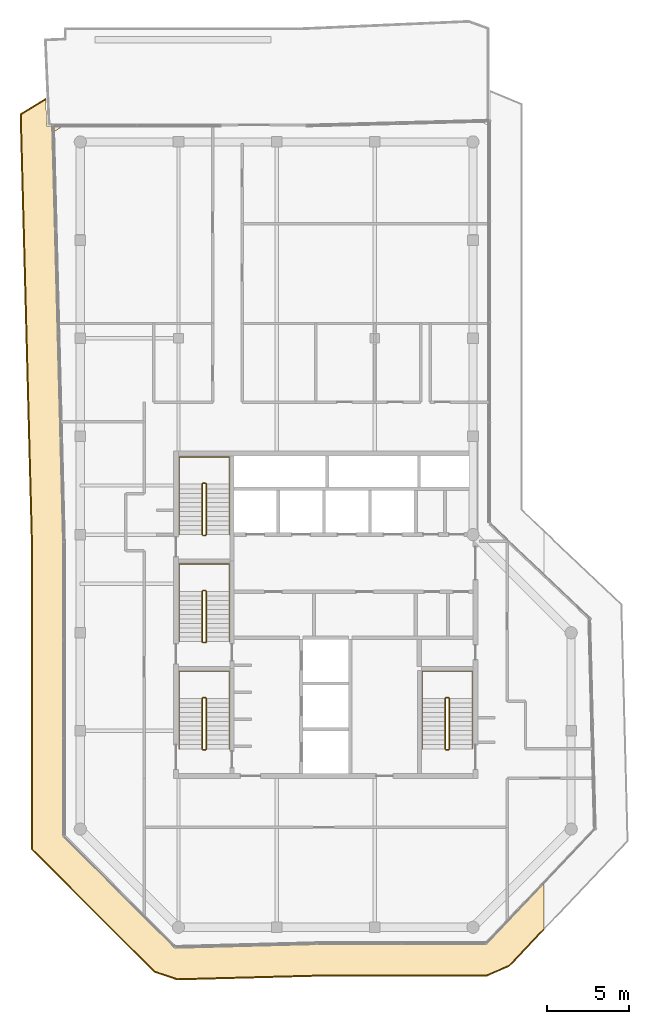
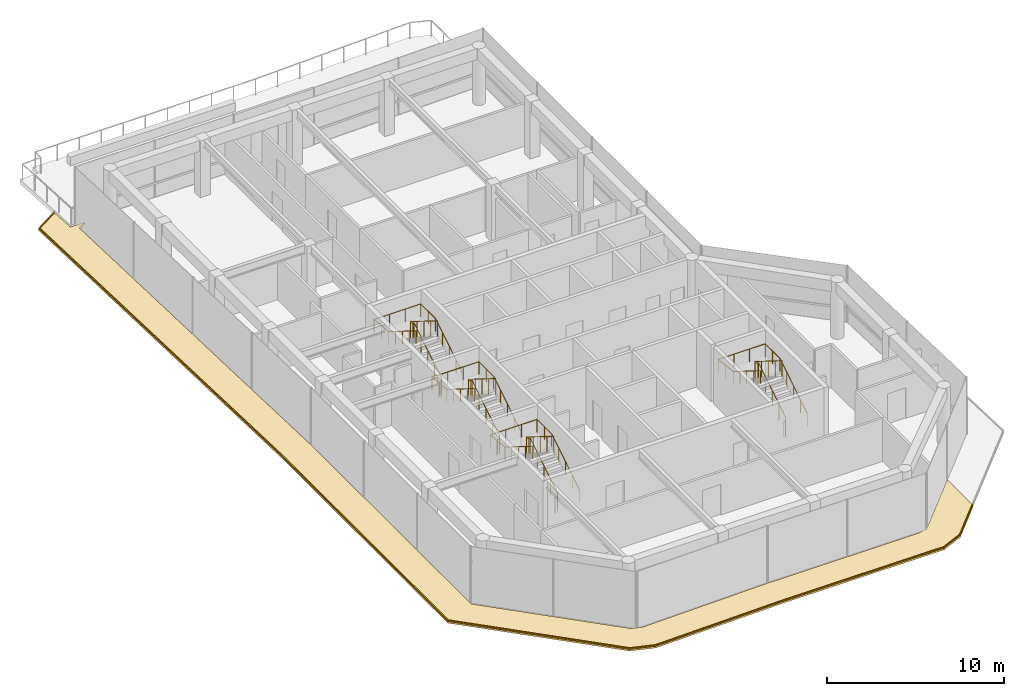
# One storey, part 19 of 20: 8 railings, 2 coverings.
"""IFC4 building model written with IfcOpenShell, lengths in metres."""

from ifc_helpers import new_model, si_unit, direction, frame, origin, origin_2d, place, context, subcontext, project, spatial, polyline, circle, outline, extrude, material, layer, layer_set, type_object, element, save


model = new_model("IFC4")

# Units and contexts
model_context = context("Model", 3, precision=1e-05, world=origin(), true_north=direction((0.0, 1.0)))
body_context = subcontext(model_context, "Body", "Model", "MODEL_VIEW")
ifc_project = project(units=[si_unit("LENGTHUNIT", "METRE"), si_unit("AREAUNIT", "SQUARE_METRE"), si_unit("VOLUMEUNIT", "CUBIC_METRE"), si_unit("PLANEANGLEUNIT", "RADIAN"), si_unit("MASSUNIT", "GRAM", prefix="KILO")], contexts=[model_context])

# Site, building, storey
site_placement = place(None, origin())
site = spatial("IfcSite", under=ifc_project, at=site_placement, CompositionType="ELEMENT")
building_placement = place(site_placement, origin())
building = spatial("IfcBuilding", under=site, at=building_placement, Name="Welwitschia Terrace Campus", CompositionType="ELEMENT")
storey_placement = place(building_placement, frame((0.0, 0.0, 327.199951171875)))
storey = spatial("IfcBuildingStorey", under=building, at=storey_placement, Name="L73", CompositionType="ELEMENT", Elevation=327.199951171875)

# Railings
ifc_material_1 = material(Name="Steel S355", Category="steel")
railing_type_1 = type_object("IfcRailingType", Name="Stair guard 1100", PredefinedType="GUARDRAIL", material=ifc_material_1)
railing_1_placement = place(storey_placement, frame((7.5, 6.85009765625, 0.0)))
element("IfcRailing", 1, at=railing_1_placement, inside=storey, type_object=railing_type_1, Name="L73 S1 stair guard", PredefinedType="GUARDRAIL", context=body_context, shape_type="SweptSolid", body=[
    extrude(circle(Radius=0.02392578125, at=origin_2d()), frame((0.0, 0.0, 1.076171875), z_axis=(1.0, 0.0, 0.0), x_axis=(0.0, 1.0, 0.0)), (0.0, 0.0, 1.0), 0.14990234375),
    extrude(circle(Radius=0.02392578125, at=origin_2d()), frame((0.14990234375, 0.0, 1.076171875), z_axis=(0.265155923931, 0.263862480399, 0.927399011991), x_axis=(-0.705375805398, 0.708833529934, 0.0)), (0.0, 0.0, 1.0), 0.188720703125),
    extrude(circle(Radius=0.02392578125, at=origin_2d()), frame((0.199951171875, 0.0498046875, 1.2509765625), z_axis=(0.0, 0.847998304005, 0.529998940003), x_axis=(-1.0, 0.0, 0.0)), (0.0, 0.0, 1.0), 3.632080078125),
    extrude(circle(Radius=0.02392578125, at=origin_2d()), frame((0.199951171875, 3.1298828125, 3.17626953125), z_axis=(-0.707106781187, 0.707106781187, 0.0), x_axis=(-0.707106781187, -0.707106781187, 0.0)), (0.0, 0.0, 1.0), 0.07080078125),
    extrude(circle(Radius=0.02392578125, at=origin_2d()), frame((0.14990234375, 3.179931640625, 3.17626953125), z_axis=(-1.0, 0.0, 0.0), x_axis=(0.0, -1.0, 0.0)), (0.0, 0.0, 1.0), 0.14990234375),
    extrude(circle(Radius=0.02392578125, at=origin_2d()), frame((0.0, 3.179931640625, 3.17626953125), z_axis=(-0.265065253269, -0.265065253269, 0.927081885822), x_axis=(0.707106781187, -0.707106781187, 0.0)), (0.0, 0.0, 1.0), 0.188720703125),
    extrude(circle(Radius=0.02392578125, at=origin_2d()), frame((-0.050048828125, 3.1298828125, 3.35107421875), z_axis=(0.0, -0.848028513186, 0.529950602248), x_axis=(1.0, 0.0, 0.0)), (0.0, 0.0, 1.0), 3.632080078125),
    extrude(circle(Radius=0.02099609375, at=origin_2d()), origin(), (0.0, 0.0, 1.0), 1.052001953125),
    extrude(circle(Radius=0.02099609375, at=origin_2d()), frame((0.14990234375, 0.0, 0.0)), (0.0, 0.0, 1.0), 1.052001953125),
    extrude(circle(Radius=0.02099609375, at=origin_2d()), frame((0.199951171875, 0.0498046875, 0.175048828125)), (0.0, 0.0, 1.0), 1.052001953125),
    extrude(circle(Radius=0.02099609375, at=origin_2d()), frame((0.199951171875, 0.81982421875, 0.65625)), (0.0, 0.0, 1.0), 1.052001953125),
    extrude(circle(Radius=0.02099609375, at=origin_2d()), frame((0.199951171875, 1.58984375, 1.1376953125)), (0.0, 0.0, 1.0), 1.052001953125),
    extrude(circle(Radius=0.02099609375, at=origin_2d()), frame((0.199951171875, 2.35986328125, 1.618896484375)), (0.0, 0.0, 1.0), 1.052001953125),
    extrude(circle(Radius=0.02099609375, at=origin_2d()), frame((0.199951171875, 3.1298828125, 2.10009765625)), (0.0, 0.0, 1.0), 1.052001953125),
    extrude(circle(Radius=0.02099609375, at=origin_2d()), frame((0.14990234375, 3.179931640625, 2.10009765625)), (0.0, 0.0, 1.0), 1.052001953125),
    extrude(circle(Radius=0.02099609375, at=origin_2d()), frame((0.0, 3.179931640625, 2.10009765625)), (0.0, 0.0, 1.0), 1.052001953125),
    extrude(circle(Radius=0.02099609375, at=origin_2d()), frame((-0.050048828125, 3.1298828125, 2.275146484375)), (0.0, 0.0, 1.0), 1.052001953125),
    extrude(circle(Radius=0.02099609375, at=origin_2d()), frame((-0.050048828125, 2.35986328125, 2.75634765625)), (0.0, 0.0, 1.0), 1.052001953125),
    extrude(circle(Radius=0.02099609375, at=origin_2d()), frame((-0.050048828125, 1.58984375, 3.237548828125)), (0.0, 0.0, 1.0), 1.052001953125),
    extrude(circle(Radius=0.02099609375, at=origin_2d()), frame((-0.050048828125, 0.81982421875, 3.71875)), (0.0, 0.0, 1.0), 1.052001953125),
    extrude(circle(Radius=0.02099609375, at=origin_2d()), frame((-0.050048828125, 0.0498046875, 4.199951171875)), (0.0, 0.0, 1.0), 1.052001953125),
])
railing_2_placement = place(storey_placement, frame((7.5, 13.39990234375, 0.0)))
element("IfcRailing", 2, at=railing_2_placement, inside=storey, type_object=railing_type_1, Name="L73 S3 stair guard", PredefinedType="GUARDRAIL", context=body_context, shape_type="SweptSolid", body=[
    extrude(circle(Radius=0.02392578125, at=origin_2d()), frame((0.0, 0.0, 1.076171875), z_axis=(1.0, 0.0, 0.0), x_axis=(0.0, 1.0, 0.0)), (0.0, 0.0, 1.0), 0.14990234375),
    extrude(circle(Radius=0.02392578125, at=origin_2d()), frame((0.14990234375, 0.0, 1.076171875), z_axis=(0.265065253269, 0.265065253269, 0.927081885822), x_axis=(-0.707106781187, 0.707106781187, 0.0)), (0.0, 0.0, 1.0), 0.188720703125),
    extrude(circle(Radius=0.02392578125, at=origin_2d()), frame((0.199951171875, 0.050048828125, 1.2509765625), z_axis=(0.0, 0.847998304005, 0.529998940003), x_axis=(-1.0, 0.0, 0.0)), (0.0, 0.0, 1.0), 3.632080078125),
    extrude(circle(Radius=0.02392578125, at=origin_2d()), frame((0.199951171875, 3.130126953125, 3.17626953125), z_axis=(-0.707106781187, 0.707106781187, 0.0), x_axis=(-0.707106781187, -0.707106781187, 0.0)), (0.0, 0.0, 1.0), 0.07080078125),
    extrude(circle(Radius=0.02392578125, at=origin_2d()), frame((0.14990234375, 3.18017578125, 3.17626953125), z_axis=(-1.0, 0.0, 0.0), x_axis=(0.0, -1.0, 0.0)), (0.0, 0.0, 1.0), 0.14990234375),
    extrude(circle(Radius=0.02392578125, at=origin_2d()), frame((0.0, 3.18017578125, 3.17626953125), z_axis=(-0.265065253269, -0.265065253269, 0.927081885822), x_axis=(0.707106781187, -0.707106781187, 0.0)), (0.0, 0.0, 1.0), 0.188720703125),
    extrude(circle(Radius=0.02392578125, at=origin_2d()), frame((-0.050048828125, 3.130126953125, 3.35107421875), z_axis=(0.0, -0.848028513186, 0.529950602248), x_axis=(1.0, 0.0, 0.0)), (0.0, 0.0, 1.0), 3.632080078125),
    extrude(circle(Radius=0.02099609375, at=origin_2d()), origin(), (0.0, 0.0, 1.0), 1.052001953125),
    extrude(circle(Radius=0.02099609375, at=origin_2d()), frame((0.14990234375, 0.0, 0.0)), (0.0, 0.0, 1.0), 1.052001953125),
    extrude(circle(Radius=0.02099609375, at=origin_2d()), frame((0.199951171875, 0.050048828125, 0.175048828125)), (0.0, 0.0, 1.0), 1.052001953125),
    extrude(circle(Radius=0.02099609375, at=origin_2d()), frame((0.199951171875, 0.820068359375, 0.65625)), (0.0, 0.0, 1.0), 1.052001953125),
    extrude(circle(Radius=0.02099609375, at=origin_2d()), frame((0.199951171875, 1.590087890625, 1.1376953125)), (0.0, 0.0, 1.0), 1.052001953125),
    extrude(circle(Radius=0.02099609375, at=origin_2d()), frame((0.199951171875, 2.360107421875, 1.618896484375)), (0.0, 0.0, 1.0), 1.052001953125),
    extrude(circle(Radius=0.02099609375, at=origin_2d()), frame((0.199951171875, 3.130126953125, 2.10009765625)), (0.0, 0.0, 1.0), 1.052001953125),
    extrude(circle(Radius=0.02099609375, at=origin_2d()), frame((0.14990234375, 3.18017578125, 2.10009765625)), (0.0, 0.0, 1.0), 1.052001953125),
    extrude(circle(Radius=0.02099609375, at=origin_2d()), frame((0.0, 3.18017578125, 2.10009765625)), (0.0, 0.0, 1.0), 1.052001953125),
    extrude(circle(Radius=0.02099609375, at=origin_2d()), frame((-0.050048828125, 3.130126953125, 2.275146484375)), (0.0, 0.0, 1.0), 1.052001953125),
    extrude(circle(Radius=0.02099609375, at=origin_2d()), frame((-0.050048828125, 2.360107421875, 2.75634765625)), (0.0, 0.0, 1.0), 1.052001953125),
    extrude(circle(Radius=0.02099609375, at=origin_2d()), frame((-0.050048828125, 1.590087890625, 3.237548828125)), (0.0, 0.0, 1.0), 1.052001953125),
    extrude(circle(Radius=0.02099609375, at=origin_2d()), frame((-0.050048828125, 0.820068359375, 3.71875)), (0.0, 0.0, 1.0), 1.052001953125),
    extrude(circle(Radius=0.02099609375, at=origin_2d()), frame((-0.050048828125, 0.050048828125, 4.199951171875)), (0.0, 0.0, 1.0), 1.052001953125),
])
railing_3_placement = place(storey_placement, frame((7.5, 19.949951171875, 0.0)))
element("IfcRailing", 3, at=railing_3_placement, inside=storey, type_object=railing_type_1, Name="L73 S4 stair guard", PredefinedType="GUARDRAIL", context=body_context, shape_type="SweptSolid", body=[
    extrude(circle(Radius=0.02392578125, at=origin_2d()), frame((0.0, 0.0, 1.076171875), z_axis=(1.0, 0.0, 0.0), x_axis=(0.0, 1.0, 0.0)), (0.0, 0.0, 1.0), 0.14990234375),
    extrude(circle(Radius=0.02392578125, at=origin_2d()), frame((0.14990234375, 0.0, 1.076171875), z_axis=(0.265065253269, 0.265065253269, 0.927081885822), x_axis=(-0.707106781187, 0.707106781187, 0.0)), (0.0, 0.0, 1.0), 0.188720703125),
    extrude(circle(Radius=0.02392578125, at=origin_2d()), frame((0.199951171875, 0.050048828125, 1.2509765625), z_axis=(0.0, 0.847998304005, 0.529998940003), x_axis=(-1.0, 0.0, 0.0)), (0.0, 0.0, 1.0), 3.632080078125),
    extrude(circle(Radius=0.02392578125, at=origin_2d()), frame((0.199951171875, 3.130126953125, 3.17626953125), z_axis=(-0.708833529934, 0.705375805398, 0.0), x_axis=(-0.705375805398, -0.708833529934, 0.0)), (0.0, 0.0, 1.0), 0.070556640625),
    extrude(circle(Radius=0.02392578125, at=origin_2d()), frame((0.14990234375, 3.179931640625, 3.17626953125), z_axis=(-1.0, 0.0, 0.0), x_axis=(0.0, -1.0, 0.0)), (0.0, 0.0, 1.0), 0.14990234375),
    extrude(circle(Radius=0.02392578125, at=origin_2d()), frame((0.0, 3.179931640625, 3.17626953125), z_axis=(-0.265155923931, -0.263862480399, 0.927399011991), x_axis=(0.705375805398, -0.708833529934, 0.0)), (0.0, 0.0, 1.0), 0.188720703125),
    extrude(circle(Radius=0.02392578125, at=origin_2d()), frame((-0.050048828125, 3.130126953125, 3.35107421875), z_axis=(0.0, -0.848028513186, 0.529950602248), x_axis=(1.0, 0.0, 0.0)), (0.0, 0.0, 1.0), 3.632080078125),
    extrude(circle(Radius=0.02099609375, at=origin_2d()), origin(), (0.0, 0.0, 1.0), 1.052001953125),
    extrude(circle(Radius=0.02099609375, at=origin_2d()), frame((0.14990234375, 0.0, 0.0)), (0.0, 0.0, 1.0), 1.052001953125),
    extrude(circle(Radius=0.02099609375, at=origin_2d()), frame((0.199951171875, 0.050048828125, 0.175048828125)), (0.0, 0.0, 1.0), 1.052001953125),
    extrude(circle(Radius=0.02099609375, at=origin_2d()), frame((0.199951171875, 0.820068359375, 0.65625)), (0.0, 0.0, 1.0), 1.052001953125),
    extrude(circle(Radius=0.02099609375, at=origin_2d()), frame((0.199951171875, 1.590087890625, 1.1376953125)), (0.0, 0.0, 1.0), 1.052001953125),
    extrude(circle(Radius=0.02099609375, at=origin_2d()), frame((0.199951171875, 2.360107421875, 1.618896484375)), (0.0, 0.0, 1.0), 1.052001953125),
    extrude(circle(Radius=0.02099609375, at=origin_2d()), frame((0.199951171875, 3.130126953125, 2.10009765625)), (0.0, 0.0, 1.0), 1.052001953125),
    extrude(circle(Radius=0.02099609375, at=origin_2d()), frame((0.14990234375, 3.179931640625, 2.10009765625)), (0.0, 0.0, 1.0), 1.052001953125),
    extrude(circle(Radius=0.02099609375, at=origin_2d()), frame((0.0, 3.179931640625, 2.10009765625)), (0.0, 0.0, 1.0), 1.052001953125),
    extrude(circle(Radius=0.02099609375, at=origin_2d()), frame((-0.050048828125, 3.130126953125, 2.275146484375)), (0.0, 0.0, 1.0), 1.052001953125),
    extrude(circle(Radius=0.02099609375, at=origin_2d()), frame((-0.050048828125, 2.360107421875, 2.75634765625)), (0.0, 0.0, 1.0), 1.052001953125),
    extrude(circle(Radius=0.02099609375, at=origin_2d()), frame((-0.050048828125, 1.590087890625, 3.237548828125)), (0.0, 0.0, 1.0), 1.052001953125),
    extrude(circle(Radius=0.02099609375, at=origin_2d()), frame((-0.050048828125, 0.820068359375, 3.71875)), (0.0, 0.0, 1.0), 1.052001953125),
    extrude(circle(Radius=0.02099609375, at=origin_2d()), frame((-0.050048828125, 0.050048828125, 4.199951171875)), (0.0, 0.0, 1.0), 1.052001953125),
])
railing_4_placement = place(storey_placement, frame((22.35009765625, 6.85009765625, 0.0)))
element("IfcRailing", 4, at=railing_4_placement, inside=storey, type_object=railing_type_1, Name="L73 S2 stair guard", PredefinedType="GUARDRAIL", context=body_context, shape_type="SweptSolid", body=[
    extrude(circle(Radius=0.02392578125, at=origin_2d()), frame((0.0, 0.0, 1.076171875), z_axis=(1.0, 0.0, 0.0), x_axis=(0.0, 1.0, 0.0)), (0.0, 0.0, 1.0), 0.14990234375),
    extrude(circle(Radius=0.02392578125, at=origin_2d()), frame((0.14990234375, 0.0, 1.076171875), z_axis=(0.265155923931, 0.263862480399, 0.927399011991), x_axis=(-0.705375805398, 0.708833529934, 0.0)), (0.0, 0.0, 1.0), 0.188720703125),
    extrude(circle(Radius=0.02392578125, at=origin_2d()), frame((0.199951171875, 0.0498046875, 1.2509765625), z_axis=(0.0, 0.847998304005, 0.529998940003), x_axis=(-1.0, 0.0, 0.0)), (0.0, 0.0, 1.0), 3.632080078125),
    extrude(circle(Radius=0.02392578125, at=origin_2d()), frame((0.199951171875, 3.1298828125, 3.17626953125), z_axis=(-0.707106781187, 0.707106781187, 0.0), x_axis=(-0.707106781187, -0.707106781187, 0.0)), (0.0, 0.0, 1.0), 0.07080078125),
    extrude(circle(Radius=0.02392578125, at=origin_2d()), frame((0.14990234375, 3.179931640625, 3.17626953125), z_axis=(-1.0, 0.0, 0.0), x_axis=(0.0, -1.0, 0.0)), (0.0, 0.0, 1.0), 0.14990234375),
    extrude(circle(Radius=0.02392578125, at=origin_2d()), frame((0.0, 3.179931640625, 3.17626953125), z_axis=(-0.265065253269, -0.265065253269, 0.927081885822), x_axis=(0.707106781187, -0.707106781187, 0.0)), (0.0, 0.0, 1.0), 0.188720703125),
    extrude(circle(Radius=0.02392578125, at=origin_2d()), frame((-0.050048828125, 3.1298828125, 3.35107421875), z_axis=(0.0, -0.848028513186, 0.529950602248), x_axis=(1.0, 0.0, 0.0)), (0.0, 0.0, 1.0), 3.632080078125),
    extrude(circle(Radius=0.02099609375, at=origin_2d()), origin(), (0.0, 0.0, 1.0), 1.052001953125),
    extrude(circle(Radius=0.02099609375, at=origin_2d()), frame((0.14990234375, 0.0, 0.0)), (0.0, 0.0, 1.0), 1.052001953125),
    extrude(circle(Radius=0.02099609375, at=origin_2d()), frame((0.199951171875, 0.0498046875, 0.175048828125)), (0.0, 0.0, 1.0), 1.052001953125),
    extrude(circle(Radius=0.02099609375, at=origin_2d()), frame((0.199951171875, 0.81982421875, 0.65625)), (0.0, 0.0, 1.0), 1.052001953125),
    extrude(circle(Radius=0.02099609375, at=origin_2d()), frame((0.199951171875, 1.58984375, 1.1376953125)), (0.0, 0.0, 1.0), 1.052001953125),
    extrude(circle(Radius=0.02099609375, at=origin_2d()), frame((0.199951171875, 2.35986328125, 1.618896484375)), (0.0, 0.0, 1.0), 1.052001953125),
    extrude(circle(Radius=0.02099609375, at=origin_2d()), frame((0.199951171875, 3.1298828125, 2.10009765625)), (0.0, 0.0, 1.0), 1.052001953125),
    extrude(circle(Radius=0.02099609375, at=origin_2d()), frame((0.14990234375, 3.179931640625, 2.10009765625)), (0.0, 0.0, 1.0), 1.052001953125),
    extrude(circle(Radius=0.02099609375, at=origin_2d()), frame((0.0, 3.179931640625, 2.10009765625)), (0.0, 0.0, 1.0), 1.052001953125),
    extrude(circle(Radius=0.02099609375, at=origin_2d()), frame((-0.050048828125, 3.1298828125, 2.275146484375)), (0.0, 0.0, 1.0), 1.052001953125),
    extrude(circle(Radius=0.02099609375, at=origin_2d()), frame((-0.050048828125, 2.35986328125, 2.75634765625)), (0.0, 0.0, 1.0), 1.052001953125),
    extrude(circle(Radius=0.02099609375, at=origin_2d()), frame((-0.050048828125, 1.58984375, 3.237548828125)), (0.0, 0.0, 1.0), 1.052001953125),
    extrude(circle(Radius=0.02099609375, at=origin_2d()), frame((-0.050048828125, 0.81982421875, 3.71875)), (0.0, 0.0, 1.0), 1.052001953125),
    extrude(circle(Radius=0.02099609375, at=origin_2d()), frame((-0.050048828125, 0.0498046875, 4.199951171875)), (0.0, 0.0, 1.0), 1.052001953125),
])
ifc_material_2 = material(Name="Steel S355", Category="steel")
railing_type_2 = type_object("IfcRailingType", Name="Stair handrail 900", PredefinedType="HANDRAIL", material=ifc_material_2)
railing_5_placement = place(storey_placement, frame((9.10009765625, 6.89990234375, 0.175048828125)))
element("IfcRailing", 5, at=railing_5_placement, inside=storey, type_object=railing_type_2, Name="L73 S1 stair handrail", PredefinedType="HANDRAIL", context=body_context, shape_type="SweptSolid", body=[
    extrude(circle(Radius=0.02392578125, at=origin_2d()), frame((0.0, 0.0, 0.8759765625), z_axis=(0.0, 0.847998304005, 0.529998940003), x_axis=(-1.0, 0.0, 0.0)), (0.0, 0.0, 1.0), 3.632080078125),
    extrude(circle(Radius=0.02392578125, at=origin_2d()), frame((0.0, 3.080078125, 2.80078125), z_axis=(0.0, 1.0, 0.0), x_axis=(-1.0, 0.0, 0.0)), (0.0, 0.0, 1.0), 1.669921875),
    extrude(circle(Radius=0.02392578125, at=origin_2d()), frame((0.0, 4.75, 2.80078125), z_axis=(-1.0, 0.0, 0.0), x_axis=(0.0, -1.0, 0.0)), (0.0, 0.0, 1.0), 3.050048828125),
    extrude(circle(Radius=0.02392578125, at=origin_2d()), frame((-3.050048828125, 4.75, 2.80078125), z_axis=(0.0, -0.99455077262, 0.104253348533), x_axis=(1.0, 0.0, 0.0)), (0.0, 0.0, 1.0), 1.678955078125),
    extrude(circle(Radius=0.02392578125, at=origin_2d()), frame((-3.050048828125, 3.080078125, 2.97607421875), z_axis=(0.0, -0.848028513186, 0.529950602248), x_axis=(1.0, 0.0, 0.0)), (0.0, 0.0, 1.0), 3.632080078125),
    extrude(circle(Radius=0.02099609375, at=origin_2d()), origin(), (0.0, 0.0, 1.0), 0.851806640625),
    extrude(circle(Radius=0.02099609375, at=origin_2d()), frame((0.0, 0.77001953125, 0.481201171875)), (0.0, 0.0, 1.0), 0.851806640625),
    extrude(circle(Radius=0.02099609375, at=origin_2d()), frame((0.0, 1.5400390625, 0.96240234375)), (0.0, 0.0, 1.0), 0.851806640625),
    extrude(circle(Radius=0.02099609375, at=origin_2d()), frame((0.0, 2.31005859375, 1.44384765625)), (0.0, 0.0, 1.0), 0.851806640625),
    extrude(circle(Radius=0.02099609375, at=origin_2d()), frame((0.0, 3.080078125, 1.925048828125)), (0.0, 0.0, 1.0), 0.851806640625),
    extrude(circle(Radius=0.02099609375, at=origin_2d()), frame((0.0, 3.9150390625, 1.925048828125)), (0.0, 0.0, 1.0), 0.851806640625),
    extrude(circle(Radius=0.02099609375, at=origin_2d()), frame((0.0, 4.75, 1.925048828125)), (0.0, 0.0, 1.0), 0.851806640625),
    extrude(circle(Radius=0.02099609375, at=origin_2d()), frame((-1.0166015625, 4.75, 1.925048828125)), (0.0, 0.0, 1.0), 0.851806640625),
    extrude(circle(Radius=0.02099609375, at=origin_2d()), frame((-2.033447265625, 4.75, 1.925048828125)), (0.0, 0.0, 1.0), 0.851806640625),
    extrude(circle(Radius=0.02099609375, at=origin_2d()), frame((-3.050048828125, 4.75, 1.925048828125)), (0.0, 0.0, 1.0), 0.851806640625),
    extrude(circle(Radius=0.02099609375, at=origin_2d()), frame((-3.050048828125, 3.9150390625, 2.0126953125)), (0.0, 0.0, 1.0), 0.851806640625),
    extrude(circle(Radius=0.02099609375, at=origin_2d()), frame((-3.050048828125, 3.080078125, 2.10009765625)), (0.0, 0.0, 1.0), 0.851806640625),
    extrude(circle(Radius=0.02099609375, at=origin_2d()), frame((-3.050048828125, 2.31005859375, 2.581298828125)), (0.0, 0.0, 1.0), 0.851806640625),
    extrude(circle(Radius=0.02099609375, at=origin_2d()), frame((-3.050048828125, 1.5400390625, 3.0625)), (0.0, 0.0, 1.0), 0.851806640625),
    extrude(circle(Radius=0.02099609375, at=origin_2d()), frame((-3.050048828125, 0.77001953125, 3.543701171875)), (0.0, 0.0, 1.0), 0.851806640625),
    extrude(circle(Radius=0.02099609375, at=origin_2d()), frame((-3.050048828125, 0.0, 4.02490234375)), (0.0, 0.0, 1.0), 0.851806640625),
])
railing_6_placement = place(storey_placement, frame((9.10009765625, 13.449951171875, 0.175048828125)))
element("IfcRailing", 6, at=railing_6_placement, inside=storey, type_object=railing_type_2, Name="L73 S3 stair handrail", PredefinedType="HANDRAIL", context=body_context, shape_type="SweptSolid", body=[
    extrude(circle(Radius=0.02392578125, at=origin_2d()), frame((0.0, 0.0, 0.8759765625), z_axis=(0.0, 0.847998304005, 0.529998940003), x_axis=(-1.0, 0.0, 0.0)), (0.0, 0.0, 1.0), 3.632080078125),
    extrude(circle(Radius=0.02392578125, at=origin_2d()), frame((0.0, 3.080078125, 2.80078125), z_axis=(0.0, 1.0, 0.0), x_axis=(-1.0, 0.0, 0.0)), (0.0, 0.0, 1.0), 1.669921875),
    extrude(circle(Radius=0.02392578125, at=origin_2d()), frame((0.0, 4.75, 2.80078125), z_axis=(-1.0, 0.0, 0.0), x_axis=(0.0, -1.0, 0.0)), (0.0, 0.0, 1.0), 3.050048828125),
    extrude(circle(Radius=0.02392578125, at=origin_2d()), frame((-3.050048828125, 4.75, 2.80078125), z_axis=(0.0, -0.99455077262, 0.104253348533), x_axis=(1.0, 0.0, 0.0)), (0.0, 0.0, 1.0), 1.678955078125),
    extrude(circle(Radius=0.02392578125, at=origin_2d()), frame((-3.050048828125, 3.080078125, 2.97607421875), z_axis=(0.0, -0.848028513186, 0.529950602248), x_axis=(1.0, 0.0, 0.0)), (0.0, 0.0, 1.0), 3.632080078125),
    extrude(circle(Radius=0.02099609375, at=origin_2d()), origin(), (0.0, 0.0, 1.0), 0.851806640625),
    extrude(circle(Radius=0.02099609375, at=origin_2d()), frame((0.0, 0.77001953125, 0.481201171875)), (0.0, 0.0, 1.0), 0.851806640625),
    extrude(circle(Radius=0.02099609375, at=origin_2d()), frame((0.0, 1.5400390625, 0.96240234375)), (0.0, 0.0, 1.0), 0.851806640625),
    extrude(circle(Radius=0.02099609375, at=origin_2d()), frame((0.0, 2.31005859375, 1.44384765625)), (0.0, 0.0, 1.0), 0.851806640625),
    extrude(circle(Radius=0.02099609375, at=origin_2d()), frame((0.0, 3.080078125, 1.925048828125)), (0.0, 0.0, 1.0), 0.851806640625),
    extrude(circle(Radius=0.02099609375, at=origin_2d()), frame((0.0, 3.9150390625, 1.925048828125)), (0.0, 0.0, 1.0), 0.851806640625),
    extrude(circle(Radius=0.02099609375, at=origin_2d()), frame((0.0, 4.75, 1.925048828125)), (0.0, 0.0, 1.0), 0.851806640625),
    extrude(circle(Radius=0.02099609375, at=origin_2d()), frame((-1.0166015625, 4.75, 1.925048828125)), (0.0, 0.0, 1.0), 0.851806640625),
    extrude(circle(Radius=0.02099609375, at=origin_2d()), frame((-2.033447265625, 4.75, 1.925048828125)), (0.0, 0.0, 1.0), 0.851806640625),
    extrude(circle(Radius=0.02099609375, at=origin_2d()), frame((-3.050048828125, 4.75, 1.925048828125)), (0.0, 0.0, 1.0), 0.851806640625),
    extrude(circle(Radius=0.02099609375, at=origin_2d()), frame((-3.050048828125, 3.9150390625, 2.0126953125)), (0.0, 0.0, 1.0), 0.851806640625),
    extrude(circle(Radius=0.02099609375, at=origin_2d()), frame((-3.050048828125, 3.080078125, 2.10009765625)), (0.0, 0.0, 1.0), 0.851806640625),
    extrude(circle(Radius=0.02099609375, at=origin_2d()), frame((-3.050048828125, 2.31005859375, 2.581298828125)), (0.0, 0.0, 1.0), 0.851806640625),
    extrude(circle(Radius=0.02099609375, at=origin_2d()), frame((-3.050048828125, 1.5400390625, 3.0625)), (0.0, 0.0, 1.0), 0.851806640625),
    extrude(circle(Radius=0.02099609375, at=origin_2d()), frame((-3.050048828125, 0.77001953125, 3.543701171875)), (0.0, 0.0, 1.0), 0.851806640625),
    extrude(circle(Radius=0.02099609375, at=origin_2d()), frame((-3.050048828125, 0.0, 4.02490234375)), (0.0, 0.0, 1.0), 0.851806640625),
])
railing_7_placement = place(storey_placement, frame((9.10009765625, 20.0, 0.175048828125)))
element("IfcRailing", 7, at=railing_7_placement, inside=storey, type_object=railing_type_2, Name="L73 S4 stair handrail", PredefinedType="HANDRAIL", context=body_context, shape_type="SweptSolid", body=[
    extrude(circle(Radius=0.02392578125, at=origin_2d()), frame((0.0, 0.0, 0.8759765625), z_axis=(0.0, 0.847998304005, 0.529998940003), x_axis=(-1.0, 0.0, 0.0)), (0.0, 0.0, 1.0), 3.632080078125),
    extrude(circle(Radius=0.02392578125, at=origin_2d()), frame((0.0, 3.080078125, 2.80078125), z_axis=(0.0, 1.0, 0.0), x_axis=(-1.0, 0.0, 0.0)), (0.0, 0.0, 1.0), 1.669921875),
    extrude(circle(Radius=0.02392578125, at=origin_2d()), frame((0.0, 4.75, 2.80078125), z_axis=(-1.0, 0.0, 0.0), x_axis=(0.0, -1.0, 0.0)), (0.0, 0.0, 1.0), 3.050048828125),
    extrude(circle(Radius=0.02392578125, at=origin_2d()), frame((-3.050048828125, 4.75, 2.80078125), z_axis=(0.0, -0.99455077262, 0.104253348533), x_axis=(1.0, 0.0, 0.0)), (0.0, 0.0, 1.0), 1.678955078125),
    extrude(circle(Radius=0.02392578125, at=origin_2d()), frame((-3.050048828125, 3.080078125, 2.97607421875), z_axis=(0.0, -0.848028513186, 0.529950602248), x_axis=(1.0, 0.0, 0.0)), (0.0, 0.0, 1.0), 3.632080078125),
    extrude(circle(Radius=0.02099609375, at=origin_2d()), origin(), (0.0, 0.0, 1.0), 0.851806640625),
    extrude(circle(Radius=0.02099609375, at=origin_2d()), frame((0.0, 0.77001953125, 0.481201171875)), (0.0, 0.0, 1.0), 0.851806640625),
    extrude(circle(Radius=0.02099609375, at=origin_2d()), frame((0.0, 1.5400390625, 0.96240234375)), (0.0, 0.0, 1.0), 0.851806640625),
    extrude(circle(Radius=0.02099609375, at=origin_2d()), frame((0.0, 2.31005859375, 1.44384765625)), (0.0, 0.0, 1.0), 0.851806640625),
    extrude(circle(Radius=0.02099609375, at=origin_2d()), frame((0.0, 3.080078125, 1.925048828125)), (0.0, 0.0, 1.0), 0.851806640625),
    extrude(circle(Radius=0.02099609375, at=origin_2d()), frame((0.0, 3.9150390625, 1.925048828125)), (0.0, 0.0, 1.0), 0.851806640625),
    extrude(circle(Radius=0.02099609375, at=origin_2d()), frame((0.0, 4.75, 1.925048828125)), (0.0, 0.0, 1.0), 0.851806640625),
    extrude(circle(Radius=0.02099609375, at=origin_2d()), frame((-1.0166015625, 4.75, 1.925048828125)), (0.0, 0.0, 1.0), 0.851806640625),
    extrude(circle(Radius=0.02099609375, at=origin_2d()), frame((-2.033447265625, 4.75, 1.925048828125)), (0.0, 0.0, 1.0), 0.851806640625),
    extrude(circle(Radius=0.02099609375, at=origin_2d()), frame((-3.050048828125, 4.75, 1.925048828125)), (0.0, 0.0, 1.0), 0.851806640625),
    extrude(circle(Radius=0.02099609375, at=origin_2d()), frame((-3.050048828125, 3.9150390625, 2.0126953125)), (0.0, 0.0, 1.0), 0.851806640625),
    extrude(circle(Radius=0.02099609375, at=origin_2d()), frame((-3.050048828125, 3.080078125, 2.10009765625)), (0.0, 0.0, 1.0), 0.851806640625),
    extrude(circle(Radius=0.02099609375, at=origin_2d()), frame((-3.050048828125, 2.31005859375, 2.581298828125)), (0.0, 0.0, 1.0), 0.851806640625),
    extrude(circle(Radius=0.02099609375, at=origin_2d()), frame((-3.050048828125, 1.5400390625, 3.0625)), (0.0, 0.0, 1.0), 0.851806640625),
    extrude(circle(Radius=0.02099609375, at=origin_2d()), frame((-3.050048828125, 0.77001953125, 3.543701171875)), (0.0, 0.0, 1.0), 0.851806640625),
    extrude(circle(Radius=0.02099609375, at=origin_2d()), frame((-3.050048828125, 0.0, 4.02490234375)), (0.0, 0.0, 1.0), 0.851806640625),
])
railing_8_placement = place(storey_placement, frame((23.949951171875, 6.89990234375, 0.175048828125)))
element("IfcRailing", 8, at=railing_8_placement, inside=storey, type_object=railing_type_2, Name="L73 S2 stair handrail", PredefinedType="HANDRAIL", context=body_context, shape_type="SweptSolid", body=[
    extrude(circle(Radius=0.02392578125, at=origin_2d()), frame((0.0, 0.0, 0.8759765625), z_axis=(0.0, 0.847998304005, 0.529998940003), x_axis=(-1.0, 0.0, 0.0)), (0.0, 0.0, 1.0), 3.632080078125),
    extrude(circle(Radius=0.02392578125, at=origin_2d()), frame((0.0, 3.080078125, 2.80078125), z_axis=(0.0, 1.0, 0.0), x_axis=(-1.0, 0.0, 0.0)), (0.0, 0.0, 1.0), 1.669921875),
    extrude(circle(Radius=0.02392578125, at=origin_2d()), frame((0.0, 4.75, 2.80078125), z_axis=(-1.0, 0.0, 0.0), x_axis=(0.0, -1.0, 0.0)), (0.0, 0.0, 1.0), 3.050048828125),
    extrude(circle(Radius=0.02392578125, at=origin_2d()), frame((-3.050048828125, 4.75, 2.80078125), z_axis=(0.0, -0.99455077262, 0.104253348533), x_axis=(1.0, 0.0, 0.0)), (0.0, 0.0, 1.0), 1.678955078125),
    extrude(circle(Radius=0.02392578125, at=origin_2d()), frame((-3.050048828125, 3.080078125, 2.97607421875), z_axis=(0.0, -0.848028513186, 0.529950602248), x_axis=(1.0, 0.0, 0.0)), (0.0, 0.0, 1.0), 3.632080078125),
    extrude(circle(Radius=0.02099609375, at=origin_2d()), origin(), (0.0, 0.0, 1.0), 0.851806640625),
    extrude(circle(Radius=0.02099609375, at=origin_2d()), frame((0.0, 0.77001953125, 0.481201171875)), (0.0, 0.0, 1.0), 0.851806640625),
    extrude(circle(Radius=0.02099609375, at=origin_2d()), frame((0.0, 1.5400390625, 0.96240234375)), (0.0, 0.0, 1.0), 0.851806640625),
    extrude(circle(Radius=0.02099609375, at=origin_2d()), frame((0.0, 2.31005859375, 1.44384765625)), (0.0, 0.0, 1.0), 0.851806640625),
    extrude(circle(Radius=0.02099609375, at=origin_2d()), frame((0.0, 3.080078125, 1.925048828125)), (0.0, 0.0, 1.0), 0.851806640625),
    extrude(circle(Radius=0.02099609375, at=origin_2d()), frame((0.0, 3.9150390625, 1.925048828125)), (0.0, 0.0, 1.0), 0.851806640625),
    extrude(circle(Radius=0.02099609375, at=origin_2d()), frame((0.0, 4.75, 1.925048828125)), (0.0, 0.0, 1.0), 0.851806640625),
    extrude(circle(Radius=0.02099609375, at=origin_2d()), frame((-1.0166015625, 4.75, 1.925048828125)), (0.0, 0.0, 1.0), 0.851806640625),
    extrude(circle(Radius=0.02099609375, at=origin_2d()), frame((-2.033447265625, 4.75, 1.925048828125)), (0.0, 0.0, 1.0), 0.851806640625),
    extrude(circle(Radius=0.02099609375, at=origin_2d()), frame((-3.050048828125, 4.75, 1.925048828125)), (0.0, 0.0, 1.0), 0.851806640625),
    extrude(circle(Radius=0.02099609375, at=origin_2d()), frame((-3.050048828125, 3.9150390625, 2.0126953125)), (0.0, 0.0, 1.0), 0.851806640625),
    extrude(circle(Radius=0.02099609375, at=origin_2d()), frame((-3.050048828125, 3.080078125, 2.10009765625)), (0.0, 0.0, 1.0), 0.851806640625),
    extrude(circle(Radius=0.02099609375, at=origin_2d()), frame((-3.050048828125, 2.31005859375, 2.581298828125)), (0.0, 0.0, 1.0), 0.851806640625),
    extrude(circle(Radius=0.02099609375, at=origin_2d()), frame((-3.050048828125, 1.5400390625, 3.0625)), (0.0, 0.0, 1.0), 0.851806640625),
    extrude(circle(Radius=0.02099609375, at=origin_2d()), frame((-3.050048828125, 0.77001953125, 3.543701171875)), (0.0, 0.0, 1.0), 0.851806640625),
    extrude(circle(Radius=0.02099609375, at=origin_2d()), frame((-3.050048828125, 0.0, 4.02490234375)), (0.0, 0.0, 1.0), 0.851806640625),
])

# Coverings
ifc_material_3 = material(Name="Bronze anodised aluminium", Category="aluminium")
ifc_layer_1 = layer(ifc_material_3, 0.1201171875)
ifc_layer_set_1 = layer_set([ifc_layer_1], Name="Bronze anodised aluminium")
covering_type_1 = type_object("IfcCoveringType", Name="Sunshade band 2000", PredefinedType="USERDEFINED", material=ifc_layer_set_1)
covering_1_placement = place(storey_placement, frame((0.0, 0.0, -0.199951171875)))
element("IfcCovering", 9, at=covering_1_placement, inside=storey, type_object=covering_type_1, Name="SUNSHADE L73.SW0", ObjectType="SUNSHADE", PredefinedType="USERDEFINED", context=body_context, shape_type="SweptSolid", body=[
    extrude(outline(polyline([(-2.0390625, 44.949951171875), (-1.0810546875, 44.949951171875), (-1.65576171875, 44.595458984375), (-1.0, 19.5498046875), (-1.0, 1.585693359375), (5.585693359375, -5.0), (6.236572265625, -5.215087890625), (14.447021484375, -5.0), (24.414306640625, -5.0), (25.05859375, -4.72216796875), (28.34423828125, -1.259765625), (28.34423828125, -4.165283203125), (26.22705078125, -6.396240234375), (24.8271484375, -7.0), (14.47314453125, -7.0), (5.940185546875, -7.223388671875), (4.50732421875, -6.75), (-3.0, 0.75732421875), (-3.0, 19.523681640625), (-3.685302734375, 45.693603515625), (-2.114013671875, 46.662841796875), (-2.0390625, 44.949951171875)])), origin(), (0.0, 0.0, 1.0), 0.1201171875),
])
ifc_material_4 = material(Name="Bronze anodised aluminium", Category="aluminium")
ifc_layer_2 = layer(ifc_material_4, 0.06005859375)
ifc_layer_set_2 = layer_set([ifc_layer_2], Name="Bronze anodised aluminium")
covering_type_2 = type_object("IfcCoveringType", Name="Sunshade lip 60", PredefinedType="USERDEFINED", material=ifc_layer_set_2)
covering_2_placement = place(storey_placement, frame((0.0, 0.0, -0.079833984375)))
element("IfcCovering", 10, at=covering_2_placement, inside=storey, type_object=covering_type_2, Name="SUNSHADE LIP L73.SW0.0", ObjectType="SUNSHADE", PredefinedType="USERDEFINED", context=body_context, shape_type="SweptSolid", body=[
    extrude(outline(polyline([(28.34423828125, -4.165283203125), (26.22705078125, -6.396240234375), (24.8271484375, -7.0), (14.47314453125, -7.0), (5.940185546875, -7.223388671875), (4.50732421875, -6.75), (-3.0, 0.75732421875), (-3.0, 19.523681640625), (-3.685302734375, 45.693603515625), (-2.114013671875, 46.662841796875), (-2.11083984375, 46.593994140625), (-3.62451171875, 45.66064453125), (-2.93994140625, 19.5244140625), (-2.93994140625, 0.7822265625), (4.539794921875, -6.697509765625), (5.94921875, -7.1630859375), (14.472412109375, -6.93994140625), (24.814697265625, -6.93994140625), (26.19189453125, -6.345947265625), (28.34423828125, -4.078125), (28.34423828125, -4.165283203125)])), origin(), (0.0, 0.0, 1.0), 0.079833984375),
])

save(model, "model.ifc")
